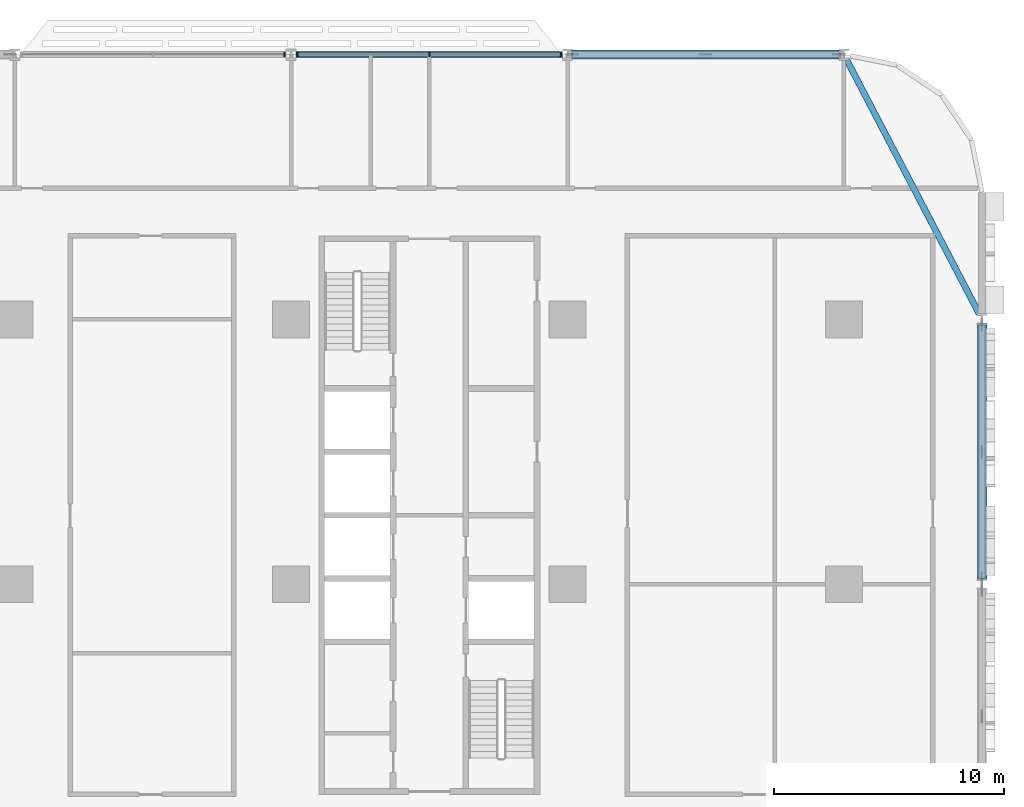
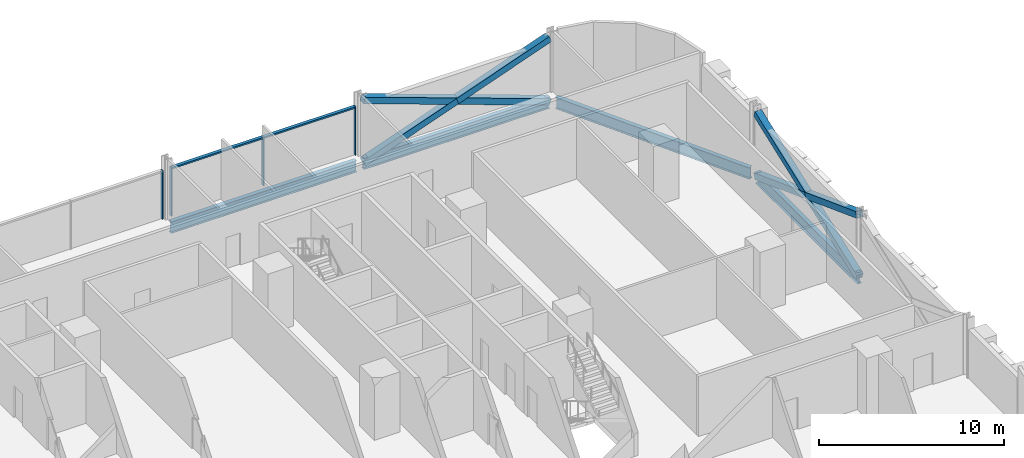
# One storey, part 7 of 26: 12 members, 4 beams, 2 elements without a shape of their own.
"""IFC4 building model written with IfcOpenShell, lengths in metres."""

from ifc_helpers import new_model, si_unit, direction, frame, origin, origin_2d, place, context, subcontext, project, spatial, rectangle, hollow_rectangle, i_section, extrude, material, material_profile, profile_set, type_object, element, aggregate, save


model = new_model("IFC4")

# Units and contexts
model_context = context("Model", 3, precision=1e-05, world=origin(), true_north=direction((0.0, 1.0)))
body_context = subcontext(model_context, "Body", "Model", "MODEL_VIEW")
ifc_project = project(units=[si_unit("LENGTHUNIT", "METRE"), si_unit("AREAUNIT", "SQUARE_METRE"), si_unit("VOLUMEUNIT", "CUBIC_METRE"), si_unit("PLANEANGLEUNIT", "RADIAN"), si_unit("MASSUNIT", "GRAM", prefix="KILO")], contexts=[model_context])

# Site, building, storey
site_placement = place(None, origin())
site = spatial("IfcSite", under=ifc_project, at=site_placement, CompositionType="ELEMENT")
building_placement = place(site_placement, origin())
building = spatial("IfcBuilding", under=site, at=building_placement, Name="Mahtab Terrace Research Tower", CompositionType="ELEMENT")
storey_placement = place(building_placement, frame((0.0, 0.0, 15.800048828125)))
storey = spatial("IfcBuildingStorey", under=building, at=storey_placement, Name="L03", CompositionType="ELEMENT", Elevation=15.800048828125)

# Members
ifc_material_1 = material(Name="Steel ASTM A500 Gr C", Category="steel")
ifc_material_profile_1 = material_profile(ifc_material_1, hollow_rectangle(XDim=0.406494140625, YDim=0.406494140625, WallThickness=0.01904296875, at=origin_2d()), Name="HSS16X16X3/4")
ifc_profile_set_1 = profile_set([ifc_material_profile_1], Name="Steel ASTM A500 Gr C")
member_type_1 = type_object("IfcMemberType", Name="HSS 16x16x3/4 brace XB161634", PredefinedType="BRACE", material=ifc_profile_set_1)
member_1_placement = place(storey_placement, frame((41.7841796875, 23.0, -0.64111328125), z_axis=(-0.941388097231, 0.0, 0.337325436917), x_axis=(0.0, -1.0, 0.0)))
element("IfcMember", 1, at=member_1_placement, inside=storey, type_object=member_type_1, Name="Exoskeleton brace L03 01 a", PredefinedType="BRACE", context=body_context, shape_type="SweptSolid", body=[
    extrude(hollow_rectangle(XDim=0.406494140625, YDim=0.406494140625, WallThickness=0.01904296875, at=origin_2d()), origin(), (0.0, 0.0, 1.0), 12.28857421875),
])
for number, where, z_axis, x_axis, name in (
    (2, (30.2158203125, 23.0, -0.64111328125), (0.941394406025, 0.0, 0.337307830185), (0.0, 1.0, 0.0), "Exoskeleton brace L03 01 b1"),
    (3, (36.0, 23.0, 1.431396484375), (0.941381788192, 0.0, 0.337343043295), (0.0, 1.0, 0.0), "Exoskeleton brace L03 01 b2"),
):
    element("IfcMember", number, at=place(storey_placement, frame(where, z_axis=z_axis, x_axis=x_axis)), inside=storey, type_object=member_type_1, Name=name, PredefinedType="BRACE", context=body_context, shape_type="SweptSolid", body=[
        extrude(hollow_rectangle(XDim=0.406494140625, YDim=0.406494140625, WallThickness=0.01904296875, at=origin_2d()), origin(), (0.0, 0.0, 1.0), 6.144287109375),
    ])
member_2_placement = place(storey_placement, frame((48.0, 0.248779296875, -0.62548828125), z_axis=(0.0, 0.936661873217, 0.350234971499), x_axis=(-1.0, 0.0, 0.0)))
element("IfcMember", 4, at=member_2_placement, inside=storey, type_object=member_type_1, Name="Exoskeleton brace L03 21 a", PredefinedType="BRACE", context=body_context, shape_type="SweptSolid", body=[
    extrude(hollow_rectangle(XDim=0.406494140625, YDim=0.406494140625, WallThickness=0.01904296875, at=origin_2d()), origin(), (0.0, 0.0, 1.0), 11.746337890625),
])
for number, where, z_axis, x_axis, name in (
    (5, (48.0, 11.251220703125, -0.62548828125), (0.0, -0.936668691391, 0.350216736563), (1.0, 0.0, 0.0), "Exoskeleton brace L03 21 b1"),
    (6, (48.0, 5.75, 1.431396484375), (0.0, -0.936655054788, 0.350253206038), (1.0, 0.0, 0.0), "Exoskeleton brace L03 21 b2"),
):
    element("IfcMember", number, at=place(storey_placement, frame(where, z_axis=z_axis, x_axis=x_axis)), inside=storey, type_object=member_type_1, Name=name, PredefinedType="BRACE", context=body_context, shape_type="SweptSolid", body=[
        extrude(hollow_rectangle(XDim=0.406494140625, YDim=0.406494140625, WallThickness=0.01904296875, at=origin_2d()), origin(), (0.0, 0.0, 1.0), 5.873291015625),
    ])

# Curtain wall, members
ifc_material_2 = material(Name="Laboratory ribbon curtain wall")
curtain_wall_type = type_object("IfcCurtainWallType", Name="Laboratory ribbon curtain wall", PredefinedType="NOTDEFINED", material=ifc_material_2)
curtain_wall_1_placement = place(storey_placement, origin())
curtain_wall_1 = element("IfcCurtainWall", 7, at=curtain_wall_1_placement, inside=storey, type_object=curtain_wall_type, Name="EN.L03.3.4", PredefinedType="NOTDEFINED")
ifc_material_3 = material(Name="Natural anodised aluminium", Category="aluminium")
ifc_material_profile_2 = material_profile(ifc_material_3, rectangle(XDim=0.199951171875, YDim=0.06494140625, at=origin_2d()), Name="MULLION 65x200")
ifc_profile_set_2 = profile_set([ifc_material_profile_2], Name="Natural anodised aluminium")
member_type_2 = type_object("IfcMemberType", Name="Laboratory ribbon curtain wall mullion", PredefinedType="MULLION", material=ifc_profile_set_2)
member_3_placement = place(storey_placement, frame((29.718505859375, 23.0, 0.0), z_axis=(0.0, 0.0, 1.0), x_axis=(0.0, -1.0, 0.0)))
member_3 = element("IfcMember", 8, at=member_3_placement, type_object=member_type_2, Name="CWL-1 mullion 1", PredefinedType="MULLION", context=body_context, shape_type="SweptSolid", body=[
    extrude(rectangle(XDim=0.199951171875, YDim=0.06494140625, at=origin_2d()), origin(), (0.0, 0.0, 1.0), 3.203125),
])
member_4_placement = place(storey_placement, frame((24.0, 23.0, 0.0), z_axis=(0.0, 0.0, 1.0), x_axis=(0.0, -1.0, 0.0)))
member_4 = element("IfcMember", 9, at=member_4_placement, type_object=member_type_2, Name="CWL-1 mullion 2", PredefinedType="MULLION", context=body_context, shape_type="SweptSolid", body=[
    extrude(rectangle(XDim=0.199951171875, YDim=0.06494140625, at=origin_2d()), origin(), (0.0, 0.0, 1.0), 3.203125),
])
member_5_placement = place(storey_placement, frame((18.281494140625, 23.0, 0.0), z_axis=(0.0, 0.0, 1.0), x_axis=(0.0, -1.0, 0.0)))
member_5 = element("IfcMember", 10, at=member_5_placement, type_object=member_type_2, Name="CWL-1 mullion 3", PredefinedType="MULLION", context=body_context, shape_type="SweptSolid", body=[
    extrude(rectangle(XDim=0.199951171875, YDim=0.06494140625, at=origin_2d()), origin(), (0.0, 0.0, 1.0), 3.203125),
])

# Curtain wall, member
curtain_wall_2_placement = place(storey_placement, origin())
curtain_wall_2 = element("IfcCurtainWall", 11, at=curtain_wall_2_placement, inside=storey, type_object=curtain_wall_type, Name="EN.L03.3.5", PredefinedType="NOTDEFINED")
member_6_placement = place(storey_placement, frame((17.718505859375, 23.0, 0.0), z_axis=(0.0, 0.0, 1.0), x_axis=(0.0, -1.0, 0.0)))
member_6 = element("IfcMember", 12, at=member_6_placement, type_object=member_type_2, Name="CWL-1 mullion 1", PredefinedType="MULLION", context=body_context, shape_type="SweptSolid", body=[
    extrude(rectangle(XDim=0.199951171875, YDim=0.06494140625, at=origin_2d()), origin(), (0.0, 0.0, 1.0), 3.203125),
])
aggregate(curtain_wall_2, [member_6])

# Member
ifc_material_profile_3 = material_profile(ifc_material_3, rectangle(XDim=0.199951171875, YDim=0.10009765625, at=origin_2d()), Name="TRANSOM 100x200")
ifc_profile_set_3 = profile_set([ifc_material_profile_3], Name="Natural anodised aluminium")
member_type_3 = type_object("IfcMemberType", Name="Laboratory ribbon curtain wall transom", PredefinedType="USERDEFINED", material=ifc_profile_set_3)
member_7_placement = place(storey_placement, frame((29.68603515625, 23.0, 3.153076171875), z_axis=(-1.0, 0.0, 0.0), x_axis=(0.0, -1.0, 0.0)))
member_7 = element("IfcMember", 13, at=member_7_placement, type_object=member_type_3, Name="CWL-1 transom 1", ObjectType="TRANSOM", PredefinedType="USERDEFINED", context=body_context, shape_type="SweptSolid", body=[
    extrude(rectangle(XDim=0.199951171875, YDim=0.10009765625, at=origin_2d()), origin(), (0.0, 0.0, 1.0), 5.653564453125),
])

member_8_placement = place(storey_placement, frame((23.967529296875, 23.0, 3.153076171875), z_axis=(-1.0, 0.0, 0.0), x_axis=(0.0, -1.0, 0.0)))
member_8 = element("IfcMember", 14, at=member_8_placement, type_object=member_type_3, Name="CWL-1 transom 2", ObjectType="TRANSOM", PredefinedType="USERDEFINED", context=body_context, shape_type="SweptSolid", body=[
    extrude(rectangle(XDim=0.199951171875, YDim=0.10009765625, at=origin_2d()), origin(), (0.0, 0.0, 1.0), 5.653564453125),
])

aggregate(curtain_wall_1, [member_3, member_4, member_5, member_7, member_8])

# Beams
ifc_material_4 = material(Name="Steel ASTM A992 Gr 50", Category="steel")
ifc_material_profile_4 = material_profile(ifc_material_4, i_section(OverallWidth=0.2666015625, OverallDepth=0.7568359375, WebThickness=0.013916015625, FlangeThickness=0.019287109375, at=origin_2d()), Name="W30X108")
ifc_profile_set_4 = profile_set([ifc_material_profile_4], Name="Steel ASTM A992 Gr 50")
beam_type = type_object("IfcBeamType", Name="W30x108 beam BS30108", PredefinedType="BEAM", material=ifc_profile_set_4)
for number, where, z_axis, x_axis, name in (
    (15, (41.7841796875, 23.0, -0.718505859375), (-1.0, 0.0, 0.0), (0.0, -1.0, 0.0), "Spandrel beam L03 01"),
    (16, (29.7841796875, 23.0, -0.718505859375), (-1.0, 0.0, 0.0), (0.0, -1.0, 0.0), "Spandrel beam L03 02"),
):
    element("IfcBeam", number, at=place(storey_placement, frame(where, z_axis=z_axis, x_axis=x_axis)), inside=storey, type_object=beam_type, Name=name, PredefinedType="BEAM", context=body_context, shape_type="SweptSolid", body=[
        extrude(i_section(OverallWidth=0.2666015625, OverallDepth=0.7568359375, WebThickness=0.013916015625, FlangeThickness=0.019287109375, at=origin_2d()), origin(), (0.0, 0.0, 1.0), 11.568359375),
    ])
beam_1_placement = place(storey_placement, frame((48.0, 0.248779296875, -0.718505859375), z_axis=(0.0, 1.0, 0.0), x_axis=(-1.0, 0.0, 0.0)))
element("IfcBeam", 17, at=beam_1_placement, inside=storey, type_object=beam_type, Name="Spandrel beam L03 21", PredefinedType="BEAM", context=body_context, shape_type="SweptSolid", body=[
    extrude(i_section(OverallWidth=0.2666015625, OverallDepth=0.7568359375, WebThickness=0.013916015625, FlangeThickness=0.019287109375, at=origin_2d()), origin(), (0.0, 0.0, 1.0), 11.00244140625),
])
beam_2_placement = place(storey_placement, frame((47.8701171875, 11.748779296875, -0.718505859375), z_axis=(-0.462555249274, 0.88659045865, 0.0), x_axis=(-0.88659045865, -0.462555249274, 0.0)))
element("IfcBeam", 18, at=beam_2_placement, inside=storey, type_object=beam_type, Name="Spandrel beam L03 22", PredefinedType="BEAM", context=body_context, shape_type="SweptSolid", body=[
    extrude(i_section(OverallWidth=0.2666015625, OverallDepth=0.7568359375, WebThickness=0.013916015625, FlangeThickness=0.019287109375, at=origin_2d()), origin(), (0.0, 0.0, 1.0), 12.409912109375),
])

save(model, "model.ifc")
